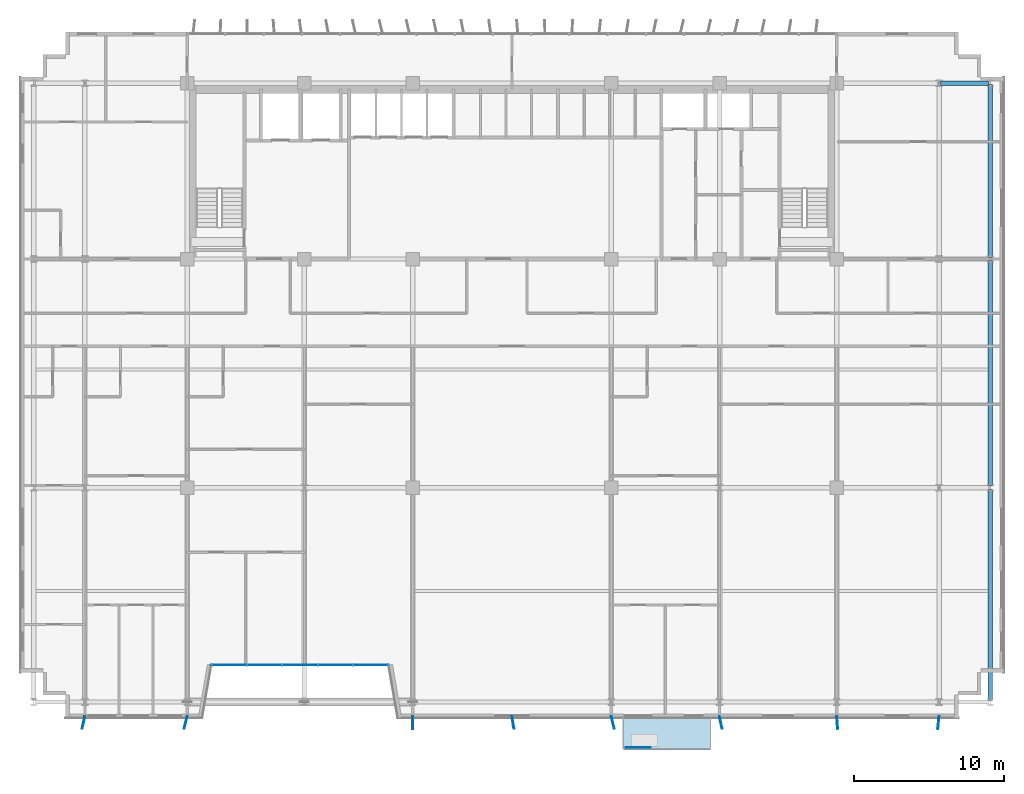
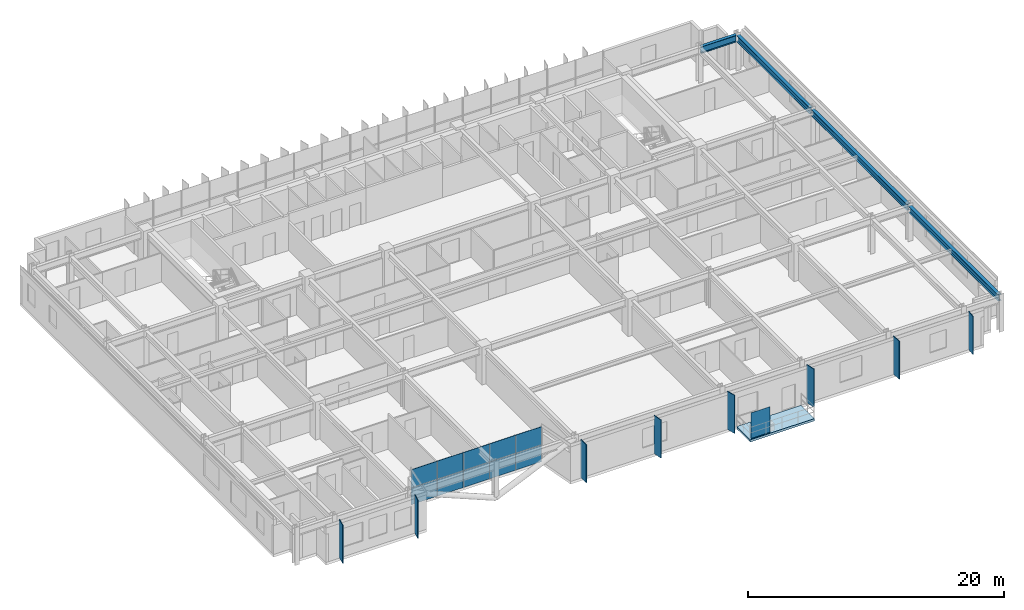
# One storey, part 16 of 25: 19 plates, 4 beams, 1 slab, 1 element without a shape of its own.
"""IFC4 building model written with IfcOpenShell, lengths in metres."""

from ifc_helpers import new_model, si_unit, direction, frame, origin, origin_2d, place, context, subcontext, project, spatial, polyline, rectangle, i_section, outline, extrude, source, transform, mapped, material, layer, layer_set, material_profile, profile_set, type_object, element, aggregate, save


model = new_model("IFC4")

# Units and contexts
model_context = context("Model", 3, precision=1e-05, world=origin(), true_north=direction((0.0, 1.0)))
body_context = subcontext(model_context, "Body", "Model", "MODEL_VIEW")
ifc_project = project(units=[si_unit("LENGTHUNIT", "METRE"), si_unit("AREAUNIT", "SQUARE_METRE"), si_unit("VOLUMEUNIT", "CUBIC_METRE"), si_unit("PLANEANGLEUNIT", "RADIAN"), si_unit("MASSUNIT", "GRAM", prefix="KILO")], contexts=[model_context])

# Site, building, storey
site_placement = place(None, origin())
site = spatial("IfcSite", under=ifc_project, at=site_placement, CompositionType="ELEMENT")
building_placement = place(site_placement, origin())
building = spatial("IfcBuilding", under=site, at=building_placement, Name="Trelvane Seafront Commons", CompositionType="ELEMENT")
storey_placement = place(building_placement, frame((0.0, 0.0, 66.699951171875)))
storey = spatial("IfcBuildingStorey", under=building, at=storey_placement, Name="L17", CompositionType="ELEMENT", Elevation=66.699951171875)

# Beams
ifc_material_1 = material(Name="Steel SM355 (S355)", Category="steel")
ifc_material_profile_1 = material_profile(ifc_material_1, i_section(OverallWidth=0.280029296875, OverallDepth=0.64990234375, WebThickness=0.012939453125, FlangeThickness=0.02197265625, at=origin_2d()), Name="H-650x280x13x22")
ifc_profile_set_1 = profile_set([ifc_material_profile_1], Name="Steel SM355 (S355)")
beam_type_1 = type_object("IfcBeamType", Name="STR-BM-H650", PredefinedType="BEAM", material=ifc_profile_set_1)
shared_shape_1 = source(origin(), body_context, "Body", "SweptSolid", [
    extrude(i_section(OverallWidth=0.280029296875, OverallDepth=0.64990234375, WebThickness=0.012939453125, FlangeThickness=0.02197265625, at=origin_2d()), origin(), (0.0, 0.0, 1.0), 3.18994140625),
])
beam_1_placement = place(storey_placement, frame((65.705078125, 45.10009765625, 3.01513671875), z_axis=(1.0, 0.0, 0.0), x_axis=(0.0, 1.0, 0.0)))
element("IfcBeam", 1, at=beam_1_placement, inside=storey, type_object=beam_type_1, Name="L17 Primary Girder G-36", PredefinedType="BEAM", context=body_context, shape_type="MappedRepresentation", body=[
    mapped(shared_shape_1, transform((0.0, 0.0, 0.0), x_axis=(1.0, 0.0, 0.0), y_axis=(0.0, 1.0, 0.0), z_axis=(0.0, 0.0, 1.0), scale=1.0)),
])
ifc_material_profile_2 = material_profile(ifc_material_1, i_section(OverallWidth=0.300048828125, OverallDepth=0.587890625, WebThickness=0.011962890625, FlangeThickness=0.02001953125, at=origin_2d()), Name="H-588x300x12x20")
ifc_profile_set_2 = profile_set([ifc_material_profile_2], Name="Steel SM355 (S355)")
beam_type_2 = type_object("IfcBeamType", Name="STR-BM-H588", PredefinedType="BEAM", material=ifc_profile_set_2)
shared_shape_2 = source(origin(), body_context, "Body", "SweptSolid", [
    extrude(i_section(OverallWidth=0.300048828125, OverallDepth=0.587890625, WebThickness=0.011962890625, FlangeThickness=0.02001953125, at=origin_2d()), origin(), (0.0, 0.0, 1.0), 14.0400390625),
])
beam_2_placement = place(storey_placement, frame((69.0, 4.054931640625, 3.046142578125), z_axis=(0.0, 1.0, 0.0), x_axis=(-1.0, 0.0, 0.0)))
element("IfcBeam", 2, at=beam_2_placement, inside=storey, type_object=beam_type_2, Name="L17 Primary Girder G-64", PredefinedType="BEAM", context=body_context, shape_type="MappedRepresentation", body=[
    mapped(shared_shape_2, transform((0.0, 0.0, 0.0), x_axis=(1.0, 0.0, 0.0), y_axis=(0.0, 1.0, 0.0), z_axis=(0.0, 0.0, 1.0), scale=1.0)),
])
shared_shape_3 = source(origin(), body_context, "Body", "SweptSolid", [
    extrude(i_section(OverallWidth=0.300048828125, OverallDepth=0.587890625, WebThickness=0.011962890625, FlangeThickness=0.02001953125, at=origin_2d()), origin(), (0.0, 0.0, 1.0), 14.989990234375),
])
beam_3_placement = place(storey_placement, frame((69.0, 18.304931640625, 3.046142578125), z_axis=(0.0, 1.0, 0.0), x_axis=(-1.0, 0.0, 0.0)))
element("IfcBeam", 3, at=beam_3_placement, inside=storey, type_object=beam_type_2, Name="L17 Primary Girder G-65", PredefinedType="BEAM", context=body_context, shape_type="MappedRepresentation", body=[
    mapped(shared_shape_3, transform((0.0, 0.0, 0.0), x_axis=(1.0, 0.0, 0.0), y_axis=(0.0, 1.0, 0.0), z_axis=(0.0, 0.0, 1.0), scale=1.0)),
])
shared_shape_4 = source(origin(), body_context, "Body", "SweptSolid", [
    extrude(i_section(OverallWidth=0.300048828125, OverallDepth=0.587890625, WebThickness=0.011962890625, FlangeThickness=0.02001953125, at=origin_2d()), origin(), (0.0, 0.0, 1.0), 11.490234375),
])
beam_4_placement = place(storey_placement, frame((69.0, 33.5048828125, 3.046142578125), z_axis=(0.0, 1.0, 0.0), x_axis=(-1.0, 0.0, 0.0)))
element("IfcBeam", 4, at=beam_4_placement, inside=storey, type_object=beam_type_2, Name="L17 Primary Girder G-66", PredefinedType="BEAM", context=body_context, shape_type="MappedRepresentation", body=[
    mapped(shared_shape_4, transform((0.0, 0.0, 0.0), x_axis=(1.0, 0.0, 0.0), y_axis=(0.0, 1.0, 0.0), z_axis=(0.0, 0.0, 1.0), scale=1.0)),
])

# Slab
ifc_material_2 = material(Name="Concrete C40/50", Category="concrete")
ifc_layer_1 = layer(ifc_material_2, 0.219970703125, Name="ARCH-BALC-220")
ifc_layer_set_1 = layer_set([ifc_layer_1], Name="Concrete C40/50")
slab_type = type_object("IfcSlabType", Name="ARCH-BALC-220", PredefinedType="FLOOR", material=ifc_layer_set_1)
slab_placement = place(storey_placement, frame((0.0, 0.0, -0.219970703125)))
element("IfcSlab", 5, at=slab_placement, inside=storey, type_object=slab_type, Name="L17 Cantilevered Tree Balcony Loggia 1", PredefinedType="FLOOR", context=body_context, shape_type="SweptSolid", body=[
    extrude(outline(polyline([(44.60009765625, 0.800048828125), (50.39990234375, 0.800048828125), (50.39990234375, 2.89990234375), (44.60009765625, 2.89990234375), (44.60009765625, 0.800048828125)])), origin(), (0.0, 0.0, 1.0), 0.219970703125),
])

# Plates
ifc_material_3 = material(Name="Perforated anodised aluminium screen", Category="aluminium")
ifc_layer_2 = layer(ifc_material_3, 0.01611328125, Name="ARCH-PLATE-SCREEN")
ifc_layer_set_2 = layer_set([ifc_layer_2], Name="Perforated anodised aluminium screen")
plate_type_1 = type_object("IfcPlateType", Name="ARCH-PLATE-SCREEN", PredefinedType="USERDEFINED", material=ifc_layer_set_2)
shared_shape_5 = source(origin(), body_context, "Body", "SweptSolid", [
    extrude(rectangle(XDim=1.681884765625, YDim=0.01611328125, at=origin_2d()), origin(), (0.0, 0.0, 1.0), 2.449951171875),
])
plate_1_placement = place(storey_placement, frame((45.591064453125, 0.919921875, 0.0), z_axis=(0.0, 0.0, 1.0), x_axis=(1.0, 0.0, 0.0)))
element("IfcPlate", 6, at=plate_1_placement, inside=storey, type_object=plate_type_1, Name="SCR-L17-00063", ObjectType="SCREEN", PredefinedType="USERDEFINED", context=body_context, shape_type="MappedRepresentation", body=[
    mapped(shared_shape_5, transform((0.0, 0.0, 0.0), x_axis=(1.0, 0.0, 0.0), y_axis=(0.0, 1.0, 0.0), z_axis=(0.0, 0.0, 1.0), scale=1.0)),
])
ifc_material_4 = material(Name="Anodised pale-silver aluminium", Category="aluminium")
ifc_layer_3 = layer(ifc_material_4, 0.06005859375, Name="ARCH-PLATE-FIN900")
ifc_layer_set_3 = layer_set([ifc_layer_3], Name="Anodised pale-silver aluminium")
plate_type_2 = type_object("IfcPlateType", Name="ARCH-PLATE-FIN900", PredefinedType="USERDEFINED", material=ifc_layer_set_3)
shared_shape_6 = source(origin(), body_context, "Body", "SweptSolid", [
    extrude(rectangle(XDim=0.85009765625, YDim=0.06005859375, at=origin_2d()), origin(), (0.0, 0.0, 1.0), 3.639892578125),
])
for number, where, z_axis, x_axis, name in (
    (7, (8.709716796875, 2.584716796875, -0.02001953125), (0.0, 0.0, 1.0), (-0.212581878832, -0.977143257047, 0.0), "FIN-S-L17-00415"),
    (8, (15.499267578125, 2.587158203125, -0.02001953125), (0.0, 0.0, 1.0), (-0.237299342443, -0.971436576456, 0.0), "FIN-S-L17-00416"),
    (9, (30.602783203125, 2.574951171875, -0.02001953125), (0.0, 0.0, 1.0), (0.006705504734, -0.99997751785, 0.0), "FIN-S-L17-00417"),
    (10, (37.268798828125, 2.58056640625, -0.02001953125), (0.0, 0.0, 1.0), (0.161765723414, -0.986829190249, 0.0), "FIN-S-L17-00418"),
    (11, (43.90185546875, 2.58740234375, -0.02001953125), (0.0, 0.0, 1.0), (0.239518100179, -0.970891899074, 0.0), "FIN-S-L17-00419"),
    (12, (51.087646484375, 2.583984375, -0.02001953125), (0.0, 0.0, 1.0), (0.205992410845, -0.978553589066, 0.0), "FIN-S-L17-00420"),
    (13, (58.83203125, 2.576171875, -0.02001953125), (0.0, 0.0, 1.0), (0.075410343052, -0.997152586198, 0.0), "FIN-S-L17-00421"),
    (14, (65.560791015625, 2.576904296875, -0.02001953125), (0.0, 0.0, 1.0), (-0.091882235606, -0.995769880434, 0.0), "FIN-S-L17-00422"),
):
    element("IfcPlate", number, at=place(storey_placement, frame(where, z_axis=z_axis, x_axis=x_axis)), inside=storey, type_object=plate_type_2, Name=name, ObjectType="FIN", PredefinedType="USERDEFINED", context=body_context, shape_type="MappedRepresentation", body=[
        mapped(shared_shape_6, transform((0.0, 0.0, 0.0), x_axis=(1.0, 0.0, 0.0), y_axis=(0.0, 1.0, 0.0), z_axis=(0.0, 0.0, 1.0), scale=1.0)),
    ])

# Curtain wall, plates
curtain_wall_type = type_object("IfcCurtainWallType", Name="ARCH-CW3-PORTAL", PredefinedType="NOTDEFINED", material=ifc_material_4)
curtain_wall_placement = place(storey_placement, origin())
curtain_wall = element("IfcCurtainWall", 15, at=curtain_wall_placement, inside=storey, type_object=curtain_wall_type, Name="CW-L17-VN-0042", PredefinedType="NOTDEFINED")
ifc_material_5 = material(Name="Low-E coastal double glazing", Category="glass")
ifc_layer_4 = layer(ifc_material_5, 0.033935546875, Name="ARCH-CW-GLAZ-34")
ifc_layer_set_4 = layer_set([ifc_layer_4], Name="Low-E coastal double glazing")
plate_type_3 = type_object("IfcPlateType", Name="ARCH-CW-GLAZ-34", PredefinedType="CURTAIN_PANEL", material=ifc_layer_set_4)
shared_shape_7 = source(origin(), body_context, "Body", "SweptSolid", [
    extrude(rectangle(XDim=2.3359375, YDim=0.0380859375, at=origin_2d()), origin(), (0.0, 0.0, 1.0), 1.5849609375),
])
plate_2_placement = place(storey_placement, frame((27.820068359375, 6.39990234375, 0.0), z_axis=(0.0, 0.0, 1.0), x_axis=(-1.0, 0.0, 0.0)))
plate_2 = element("IfcPlate", 16, at=plate_2_placement, type_object=plate_type_3, Name="CW-L17-VN-0042-P00-1", PredefinedType="CURTAIN_PANEL", context=body_context, shape_type="MappedRepresentation", body=[
    mapped(shared_shape_7, transform((0.0, 0.0, 0.0), x_axis=(1.0, 0.0, 0.0), y_axis=(0.0, 1.0, 0.0), z_axis=(0.0, 0.0, 1.0), scale=1.0)),
])
plate_3_placement = place(storey_placement, frame((25.4599609375, 6.39990234375, 0.0), z_axis=(0.0, 0.0, 1.0), x_axis=(-1.0, 0.0, 0.0)))
plate_3 = element("IfcPlate", 17, at=plate_3_placement, type_object=plate_type_3, Name="CW-L17-VN-0042-P01-1", PredefinedType="CURTAIN_PANEL", context=body_context, shape_type="MappedRepresentation", body=[
    mapped(shared_shape_7, transform((0.0, 0.0, 0.0), x_axis=(1.0, 0.0, 0.0), y_axis=(0.0, 1.0, 0.0), z_axis=(0.0, 0.0, 1.0), scale=1.0)),
])
plate_4_placement = place(storey_placement, frame((23.10009765625, 6.39990234375, 0.0), z_axis=(0.0, 0.0, 1.0), x_axis=(-1.0, 0.0, 0.0)))
plate_4 = element("IfcPlate", 18, at=plate_4_placement, type_object=plate_type_3, Name="CW-L17-VN-0042-P02-1", PredefinedType="CURTAIN_PANEL", context=body_context, shape_type="MappedRepresentation", body=[
    mapped(shared_shape_7, transform((0.0, 0.0, 0.0), x_axis=(1.0, 0.0, 0.0), y_axis=(0.0, 1.0, 0.0), z_axis=(0.0, 0.0, 1.0), scale=1.0)),
])
plate_5_placement = place(storey_placement, frame((20.739990234375, 6.39990234375, 0.0), z_axis=(0.0, 0.0, 1.0), x_axis=(-1.0, 0.0, 0.0)))
plate_5 = element("IfcPlate", 19, at=plate_5_placement, type_object=plate_type_3, Name="CW-L17-VN-0042-P03-1", PredefinedType="CURTAIN_PANEL", context=body_context, shape_type="MappedRepresentation", body=[
    mapped(shared_shape_7, transform((0.0, 0.0, 0.0), x_axis=(1.0, 0.0, 0.0), y_axis=(0.0, 1.0, 0.0), z_axis=(0.0, 0.0, 1.0), scale=1.0)),
])
plate_6_placement = place(storey_placement, frame((18.3798828125, 6.39990234375, 0.0), z_axis=(0.0, 0.0, 1.0), x_axis=(-1.0, 0.0, 0.0)))
plate_6 = element("IfcPlate", 20, at=plate_6_placement, type_object=plate_type_3, Name="CW-L17-VN-0042-P04-1", PredefinedType="CURTAIN_PANEL", context=body_context, shape_type="MappedRepresentation", body=[
    mapped(shared_shape_7, transform((0.0, 0.0, 0.0), x_axis=(1.0, 0.0, 0.0), y_axis=(0.0, 1.0, 0.0), z_axis=(0.0, 0.0, 1.0), scale=1.0)),
])
shared_shape_8 = source(origin(), body_context, "Body", "SweptSolid", [
    extrude(rectangle(XDim=2.3359375, YDim=0.0380859375, at=origin_2d()), origin(), (0.0, 0.0, 1.0), 1.718994140625),
])
plate_7_placement = place(storey_placement, frame((27.820068359375, 6.39990234375, 1.62109375), z_axis=(0.0, 0.0, 1.0), x_axis=(-1.0, 0.0, 0.0)))
plate_7 = element("IfcPlate", 21, at=plate_7_placement, type_object=plate_type_3, Name="CW-L17-VN-0042-P00-2", PredefinedType="CURTAIN_PANEL", context=body_context, shape_type="MappedRepresentation", body=[
    mapped(shared_shape_8, transform((0.0, 0.0, 0.0), x_axis=(1.0, 0.0, 0.0), y_axis=(0.0, 1.0, 0.0), z_axis=(0.0, 0.0, 1.0), scale=1.0)),
])
plate_8_placement = place(storey_placement, frame((25.4599609375, 6.39990234375, 1.62109375), z_axis=(0.0, 0.0, 1.0), x_axis=(-1.0, 0.0, 0.0)))
plate_8 = element("IfcPlate", 22, at=plate_8_placement, type_object=plate_type_3, Name="CW-L17-VN-0042-P01-2", PredefinedType="CURTAIN_PANEL", context=body_context, shape_type="MappedRepresentation", body=[
    mapped(shared_shape_8, transform((0.0, 0.0, 0.0), x_axis=(1.0, 0.0, 0.0), y_axis=(0.0, 1.0, 0.0), z_axis=(0.0, 0.0, 1.0), scale=1.0)),
])
plate_9_placement = place(storey_placement, frame((23.10009765625, 6.39990234375, 1.62109375), z_axis=(0.0, 0.0, 1.0), x_axis=(-1.0, 0.0, 0.0)))
plate_9 = element("IfcPlate", 23, at=plate_9_placement, type_object=plate_type_3, Name="CW-L17-VN-0042-P02-2", PredefinedType="CURTAIN_PANEL", context=body_context, shape_type="MappedRepresentation", body=[
    mapped(shared_shape_8, transform((0.0, 0.0, 0.0), x_axis=(1.0, 0.0, 0.0), y_axis=(0.0, 1.0, 0.0), z_axis=(0.0, 0.0, 1.0), scale=1.0)),
])
plate_10_placement = place(storey_placement, frame((20.739990234375, 6.39990234375, 1.62109375), z_axis=(0.0, 0.0, 1.0), x_axis=(-1.0, 0.0, 0.0)))
plate_10 = element("IfcPlate", 24, at=plate_10_placement, type_object=plate_type_3, Name="CW-L17-VN-0042-P03-2", PredefinedType="CURTAIN_PANEL", context=body_context, shape_type="MappedRepresentation", body=[
    mapped(shared_shape_8, transform((0.0, 0.0, 0.0), x_axis=(1.0, 0.0, 0.0), y_axis=(0.0, 1.0, 0.0), z_axis=(0.0, 0.0, 1.0), scale=1.0)),
])
plate_11_placement = place(storey_placement, frame((18.3798828125, 6.39990234375, 1.62109375), z_axis=(0.0, 0.0, 1.0), x_axis=(-1.0, 0.0, 0.0)))
plate_11 = element("IfcPlate", 25, at=plate_11_placement, type_object=plate_type_3, Name="CW-L17-VN-0042-P04-2", PredefinedType="CURTAIN_PANEL", context=body_context, shape_type="MappedRepresentation", body=[
    mapped(shared_shape_8, transform((0.0, 0.0, 0.0), x_axis=(1.0, 0.0, 0.0), y_axis=(0.0, 1.0, 0.0), z_axis=(0.0, 0.0, 1.0), scale=1.0)),
])
aggregate(curtain_wall, [plate_2, plate_7, plate_3, plate_8, plate_4, plate_9, plate_5, plate_10, plate_6, plate_11])

save(model, "model.ifc")
